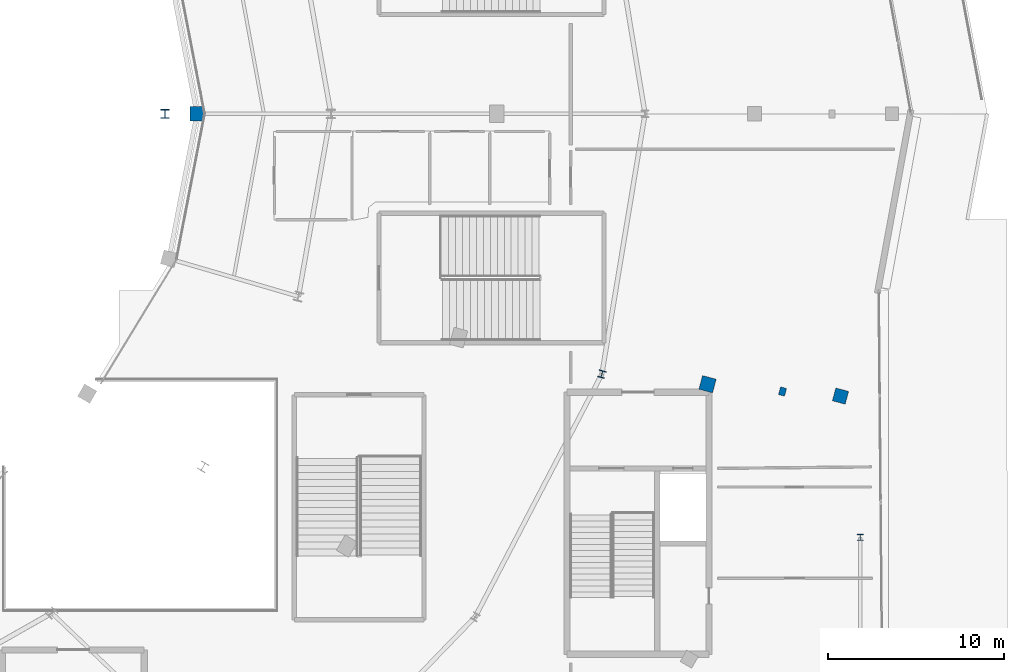
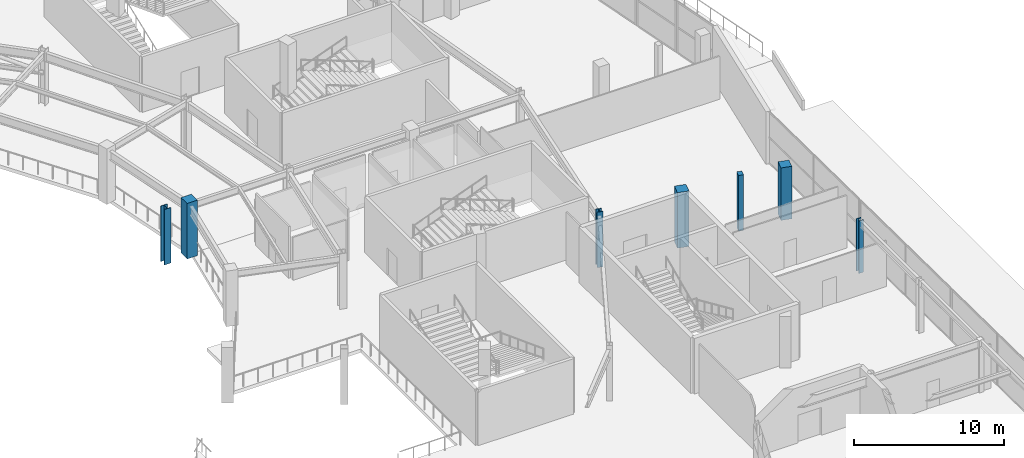
# One storey, part 13 of 107: 7 columns.
"""IFC4 building model written with IfcOpenShell, lengths in metres."""

from ifc_helpers import new_model, si_unit, direction, frame, origin, origin_2d, place, context, subcontext, project, spatial, rectangle, i_section, extrude, material, material_profile, profile_set, type_object, element, save


model = new_model("IFC4")

# Units and contexts
model_context = context("Model", 3, precision=1e-05, world=origin(), true_north=direction((0.0, 1.0)))
body_context = subcontext(model_context, "Body", "Model", "MODEL_VIEW")
ifc_project = project(units=[si_unit("LENGTHUNIT", "METRE"), si_unit("AREAUNIT", "SQUARE_METRE"), si_unit("VOLUMEUNIT", "CUBIC_METRE"), si_unit("PLANEANGLEUNIT", "RADIAN"), si_unit("MASSUNIT", "GRAM", prefix="KILO")], contexts=[model_context])

# Site, building, storey
site_placement = place(None, origin())
site = spatial("IfcSite", under=ifc_project, at=site_placement, CompositionType="ELEMENT")
building_placement = place(site_placement, origin())
building = spatial("IfcBuilding", under=site, at=building_placement, Name="Kalgoora Escarpment Arena", CompositionType="ELEMENT")
storey_placement = place(building_placement, frame((0.0, 0.0, 5.39990234375)))
storey = spatial("IfcBuildingStorey", under=building, at=storey_placement, Name="L01", CompositionType="ELEMENT", Elevation=5.39990234375)

# Columns
ifc_material_1 = material(Name="Structural steel Grade 350 (350 MPa)", Category="steel")
ifc_material_profile_1 = material_profile(ifc_material_1, i_section(OverallWidth=0.35009765625, OverallDepth=0.35009765625, WebThickness=0.013916015625, FlangeThickness=0.02392578125, at=origin_2d()))
ifc_profile_set_1 = profile_set([ifc_material_profile_1], Name="Structural steel Grade 350 (350 MPa)")
column_type_1 = type_object("IfcColumnType", Name="COL-COL-350WC197", PredefinedType="COLUMN", material=ifc_profile_set_1)
column_1_placement = place(storey_placement, frame((176.39990234375, 40.0, 0.0), z_axis=(0.0, 0.0, 1.0), x_axis=(1.0, 0.0, 0.0)))
element("IfcColumn", 1, at=column_1_placement, inside=storey, type_object=column_type_1, Name="L01 structural column COL-G22-F", PredefinedType="COLUMN", context=body_context, shape_type="SweptSolid", body=[
    extrude(i_section(OverallWidth=0.35009765625, OverallDepth=0.35009765625, WebThickness=0.013916015625, FlangeThickness=0.02392578125, at=origin_2d()), origin(), (0.0, 0.0, 1.0), 4.260009765625),
])
ifc_material_2 = material(Name="Structural steel Grade 350 (350 MPa)", Category="steel")
ifc_material_profile_2 = material_profile(ifc_material_2, i_section(OverallWidth=0.39990234375, OverallDepth=0.39990234375, WebThickness=0.01806640625, FlangeThickness=0.031982421875, at=origin_2d()))
ifc_profile_set_2 = profile_set([ifc_material_profile_2], Name="Structural steel Grade 350 (350 MPa)")
column_type_2 = type_object("IfcColumnType", Name="COL-COL-400WC270", PredefinedType="COLUMN", material=ifc_profile_set_2)
column_2_placement = place(storey_placement, frame((161.75341796875, 49.247314453125, 0.0), z_axis=(0.0, 0.0, 1.0), x_axis=(0.965925826289, -0.258819045103, 0.0)))
element("IfcColumn", 2, at=column_2_placement, inside=storey, type_object=column_type_2, Name="L01 structural column COL-RCONC2-R24", PredefinedType="COLUMN", context=body_context, shape_type="SweptSolid", body=[
    extrude(i_section(OverallWidth=0.39990234375, OverallDepth=0.39990234375, WebThickness=0.01806640625, FlangeThickness=0.031982421875, at=origin_2d()), origin(), (0.0, 0.0, 1.0), 4.5),
])
ifc_material_3 = material(Name="Structural steel Grade 350 (350 MPa)", Category="steel")
ifc_material_profile_3 = material_profile(ifc_material_3, i_section(OverallWidth=0.5, OverallDepth=0.5, WebThickness=0.02001953125, FlangeThickness=0.034912109375, at=origin_2d()))
ifc_profile_set_3 = profile_set([ifc_material_profile_3], Name="Structural steel Grade 350 (350 MPa)")
column_type_3 = type_object("IfcColumnType", Name="COL-COL-500WC340", PredefinedType="COLUMN", material=ifc_profile_set_3)
column_3_placement = place(storey_placement, frame((137.0, 64.0, 0.0), z_axis=(0.0, 0.0, 1.0), x_axis=(1.0, 0.0, 0.0)))
element("IfcColumn", 3, at=column_3_placement, inside=storey, type_object=column_type_3, Name="L01 structural column COL-TSPINE-S01", PredefinedType="COLUMN", context=body_context, shape_type="SweptSolid", body=[
    extrude(i_section(OverallWidth=0.5, OverallDepth=0.5, WebThickness=0.02001953125, FlangeThickness=0.034912109375, at=origin_2d()), origin(), (0.0, 0.0, 1.0), 4.5),
])
ifc_material_4 = material(Name="Concrete N50 (fc' 50 MPa)", Category="concrete")
ifc_material_profile_4 = material_profile(ifc_material_4, rectangle(XDim=0.75, YDim=0.75, at=origin_2d()))
ifc_profile_set_4 = profile_set([ifc_material_profile_4], Name="Concrete N50 (fc' 50 MPa)")
column_type_4 = type_object("IfcColumnType", Name="COL-COL-RC750x750", PredefinedType="COLUMN", material=ifc_profile_set_4)
column_4_placement = place(storey_placement, frame((175.2763671875, 48.0048828125, 0.0), z_axis=(0.0, 0.0, 1.0), x_axis=(0.965925826289, -0.258819045103, 0.0)))
element("IfcColumn", 4, at=column_4_placement, inside=storey, type_object=column_type_4, Name="L01 structural column COL-RBASE2-R24", PredefinedType="COLUMN", context=body_context, shape_type="SweptSolid", body=[
    extrude(rectangle(XDim=0.75, YDim=0.75, at=origin_2d()), origin(), (0.0, 0.0, 1.0), 4.260009765625),
])
ifc_material_5 = material(Name="Concrete N50 (fc' 50 MPa)", Category="concrete")
ifc_material_profile_5 = material_profile(ifc_material_5, rectangle(XDim=0.800048828125, YDim=0.800048828125, at=origin_2d()))
ifc_profile_set_5 = profile_set([ifc_material_profile_5], Name="Concrete N50 (fc' 50 MPa)")
column_type_5 = type_object("IfcColumnType", Name="COL-COL-RC800x800", PredefinedType="COLUMN", material=ifc_profile_set_5)
for number, where, z_axis, x_axis, name in (
    (5, (138.81005859375, 64.0, 0.0), (0.0, 0.0, 1.0), (1.0, 0.0, 0.0), "L01 structural column COL-RMID-R01"),
    (6, (167.7421875, 48.677978515625, 0.0), (0.0, 0.0, 1.0), (0.965925826289, -0.258819045103, 0.0), "L01 structural column COL-RBASE1-R24"),
):
    element("IfcColumn", number, at=place(storey_placement, frame(where, z_axis=z_axis, x_axis=x_axis)), inside=storey, type_object=column_type_5, Name=name, PredefinedType="COLUMN", context=body_context, shape_type="SweptSolid", body=[
        extrude(rectangle(XDim=0.800048828125, YDim=0.800048828125, at=origin_2d()), origin(), (0.0, 0.0, 1.0), 4.5),
    ])
ifc_material_6 = material(Name="Precast concrete N50 (fc' 50 MPa)", Category="concrete")
ifc_material_profile_6 = material_profile(ifc_material_6, rectangle(XDim=0.35009765625, YDim=0.449951171875, at=origin_2d()))
ifc_profile_set_6 = profile_set([ifc_material_profile_6], Name="Precast concrete N50 (fc' 50 MPa)")
column_type_6 = type_object("IfcColumnType", Name="COL-PIL-PC-PILASTER-450x350", PredefinedType="PILASTER", material=ifc_profile_set_6)
column_5_placement = place(storey_placement, frame((171.991943359375, 48.263916015625, 0.0), z_axis=(0.0, 0.0, 1.0), x_axis=(0.965925826289, -0.258819045103, 0.0)))
element("IfcColumn", 7, at=column_5_placement, inside=storey, type_object=column_type_6, Name="L01 fluted pilaster PIL-069", PredefinedType="PILASTER", context=body_context, shape_type="SweptSolid", body=[
    extrude(rectangle(XDim=0.35009765625, YDim=0.449951171875, at=origin_2d()), origin(), (0.0, 0.0, 1.0), 4.5),
])

save(model, "model.ifc")
